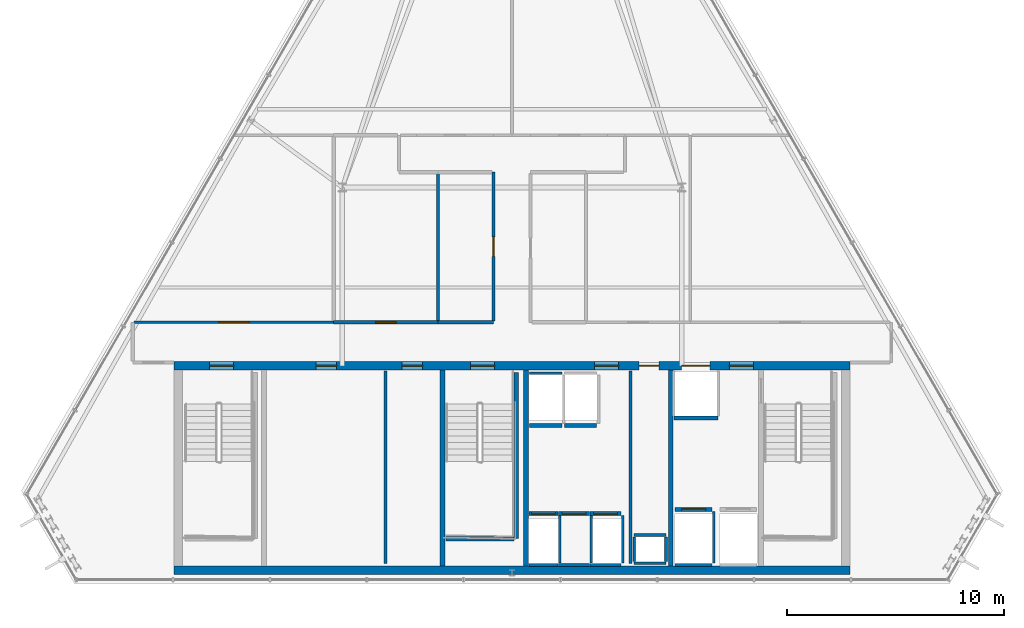
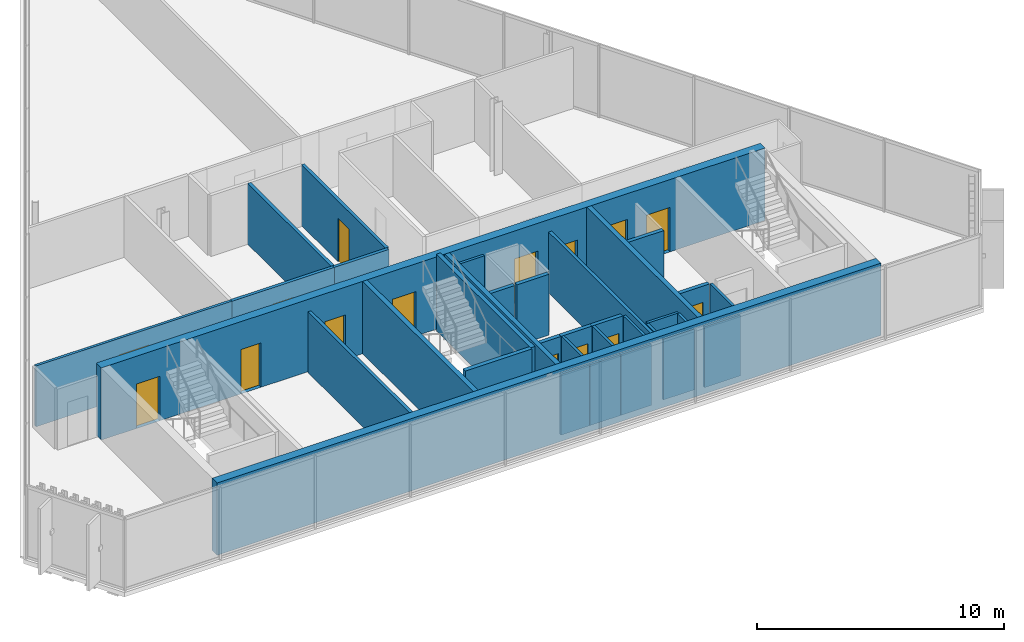
# One storey, part 27 of 32: 34 walls, 15 doors, 15 openings.
"""IFC4 building model written with IfcOpenShell, lengths in metres."""

from ifc_helpers import new_model, si_unit, direction, frame, frame_2d, origin, place, context, subcontext, project, spatial, rectangle, extrude, material, layer, layer_set, type_object, element, fill, save


model = new_model("IFC4")

# Units and contexts
model_context = context("Model", 3, precision=1e-05, world=origin(), true_north=direction((0.0, 1.0)))
body_context = subcontext(model_context, "Body", "Model", "MODEL_VIEW")
ifc_project = project(units=[si_unit("LENGTHUNIT", "METRE"), si_unit("AREAUNIT", "SQUARE_METRE"), si_unit("VOLUMEUNIT", "CUBIC_METRE"), si_unit("PLANEANGLEUNIT", "RADIAN"), si_unit("MASSUNIT", "GRAM", prefix="KILO")], contexts=[model_context])

# Site, building, storey
site_placement = place(None, origin())
site = spatial("IfcSite", under=ifc_project, at=site_placement, CompositionType="ELEMENT")
building_placement = place(site_placement, origin())
building = spatial("IfcBuilding", under=site, at=building_placement, Name="Ndaravel Arena Tower", CompositionType="ELEMENT")
storey_placement = place(building_placement, frame((0.0, 0.0, 283.300048828125)))
storey = spatial("IfcBuildingStorey", under=building, at=storey_placement, Name="L69", CompositionType="ELEMENT", Elevation=283.300048828125)

# Walls
ifc_material_1 = material(Name="Gypsum", Category="gypsum")
ifc_layer_1 = layer(ifc_material_1, 0.14990234375)
ifc_layer_set_1 = layer_set([ifc_layer_1], Name="Gypsum")
wall_type_1 = type_object("IfcWallType", Name="WALL-COMP-150", PredefinedType="PARTITIONING", material=ifc_layer_set_1)
for number, where, z_axis, x_axis, name in (
    (1, (47.449951171875, 5.89990234375, 0.0), (0.0, 0.0, 1.0), (0.0, 1.0, 0.0), "L69 Core Riser Bay Partition"),
    (2, (36.179931640625, 5.89990234375, 0.0), (0.0, 0.0, 1.0), (0.0, 1.0, 0.0), "L69 High-Zone Core Divider 1"),
):
    element("IfcWall", number, at=place(storey_placement, frame(where, z_axis=z_axis, x_axis=x_axis)), inside=storey, type_object=wall_type_1, Name=name, PredefinedType="PARTITIONING", context=body_context, shape_type="SweptSolid", body=[
        extrude(rectangle(XDim=8.85009765625, YDim=0.14990234375, at=frame_2d((4.425048828125, 0.0))), origin(), (0.0, 0.0, 1.0), 3.010498046875),
    ])
ifc_material_2 = material(Name="Concrete C50/60", Category="concrete")
ifc_layer_2 = layer(ifc_material_2, 0.219970703125)
ifc_layer_set_2 = layer_set([ifc_layer_2], Name="Concrete C50/60")
wall_type_2 = type_object("IfcWallType", Name="WALL-CORE-220", PredefinedType="SOLIDWALL", material=ifc_layer_set_2)
for number, where, z_axis, x_axis, name in (
    (3, (38.800048828125, 5.800048828125, 0.0), (0.0, 0.0, 1.0), (0.0, 1.0, 0.0), "L69 Core Web Shear Wall 2"),
    (4, (42.64990234375, 5.800048828125, 0.0), (0.0, 0.0, 1.0), (0.0, 1.0, 0.0), "L69 Core Web Shear Wall 3"),
    (5, (49.300048828125, 5.800048828125, 0.0), (0.0, 0.0, 1.0), (0.0, 1.0, 0.0), "L69 Core Web Shear Wall 4"),
):
    element("IfcWall", number, at=place(storey_placement, frame(where, z_axis=z_axis, x_axis=x_axis)), inside=storey, type_object=wall_type_2, Name=name, PredefinedType="SOLIDWALL", context=body_context, shape_type="SweptSolid", body=[
        extrude(rectangle(XDim=9.0, YDim=0.219970703125, at=frame_2d((4.5, 0.0))), origin(), (0.0, 0.0, 1.0), 3.579833984375),
    ])

# Wall, openings, doors
ifc_material_3 = material(Name="Concrete C50/60", Category="concrete")
ifc_layer_3 = layer(ifc_material_3, 0.39990234375)
ifc_layer_set_3 = layer_set([ifc_layer_3], Name="Concrete C50/60")
wall_type_3 = type_object("IfcWallType", Name="WALL-CORE-400", PredefinedType="SOLIDWALL", material=ifc_layer_set_3)
wall_1_placement = place(storey_placement, frame((26.449951171875, 15.0, 0.0), z_axis=(0.0, 0.0, 1.0), x_axis=(1.0, 0.0, 0.0)))
wall_1 = element("IfcWall", 6, at=wall_1_placement, inside=storey, type_object=wall_type_3, Name="L69 Core North Shear Wall", PredefinedType="SOLIDWALL", context=body_context, shape_type="SweptSolid", body=[
    extrude(rectangle(XDim=31.10009765625, YDim=0.39990234375, at=frame_2d((15.550048828125, 0.0))), origin(), (0.0, 0.0, 1.0), 3.579833984375),
])
opening_1_placement = place(wall_1_placement, frame((1.64990234375, 0.0, 0.0)))
opening_1 = element("IfcOpeningElement", 7, at=opening_1_placement, cuts=wall_1, Name="Opening FD-01", PredefinedType="OPENING", context=body_context, shape_type="SweptSolid", body=[
    extrude(rectangle(XDim=1.10009765625, YDim=2.199951171875, at=frame_2d((0.550048828125, 1.10009765625))), frame((0.0, 0.199951171875, 0.0), z_axis=(0.0, -1.0, 0.0), x_axis=(1.0, 0.0, 0.0)), (0.0, 0.0, 1.0), 0.39990234375),
])
opening_2_placement = place(wall_1_placement, frame((13.64990234375, 0.0, 0.0)))
opening_2 = element("IfcOpeningElement", 8, at=opening_2_placement, cuts=wall_1, Name="Opening FD-01", PredefinedType="OPENING", context=body_context, shape_type="SweptSolid", body=[
    extrude(rectangle(XDim=1.10009765625, YDim=2.199951171875, at=frame_2d((0.550048828125, 1.10009765625))), frame((0.0, 0.199951171875, 0.0), z_axis=(0.0, -1.0, 0.0), x_axis=(1.0, 0.0, 0.0)), (0.0, 0.0, 1.0), 0.39990234375),
])
opening_3_placement = place(wall_1_placement, frame((25.550048828125, 0.0, 0.0)))
opening_3 = element("IfcOpeningElement", 9, at=opening_3_placement, cuts=wall_1, Name="Opening FD-01", PredefinedType="OPENING", context=body_context, shape_type="SweptSolid", body=[
    extrude(rectangle(XDim=1.10009765625, YDim=2.199951171875, at=frame_2d((0.550048828125, 1.10009765625))), frame((0.0, 0.199951171875, 0.0), z_axis=(0.0, -1.0, 0.0), x_axis=(1.0, 0.0, 0.0)), (0.0, 0.0, 1.0), 0.39990234375),
])
opening_4_placement = place(wall_1_placement, frame((19.35009765625, 0.0, 0.0)))
opening_4 = element("IfcOpeningElement", 10, at=opening_4_placement, cuts=wall_1, Name="Opening FD-01", PredefinedType="OPENING", context=body_context, shape_type="SweptSolid", body=[
    extrude(rectangle(XDim=1.10009765625, YDim=2.199951171875, at=frame_2d((0.550048828125, 1.10009765625))), frame((0.0, 0.199951171875, 0.0), z_axis=(0.0, -1.0, 0.0), x_axis=(1.0, 0.0, 0.0)), (0.0, 0.0, 1.0), 0.39990234375),
])
opening_5_placement = place(wall_1_placement, frame((21.39990234375, 0.0, 0.0)))
opening_5 = element("IfcOpeningElement", 11, at=opening_5_placement, cuts=wall_1, Name="Opening RD-01", PredefinedType="OPENING", context=body_context, shape_type="SweptSolid", body=[
    extrude(rectangle(XDim=0.89990234375, YDim=2.10009765625, at=frame_2d((0.449951171875, 1.050048828125))), frame((0.0, 0.199951171875, 0.0), z_axis=(0.0, -1.0, 0.0), x_axis=(1.0, 0.0, 0.0)), (0.0, 0.0, 1.0), 0.39990234375),
])
opening_6_placement = place(wall_1_placement, frame((6.5400390625, 0.0, 0.0)))
opening_6 = element("IfcOpeningElement", 12, at=opening_6_placement, cuts=wall_1, Name="Opening FD-03", PredefinedType="OPENING", context=body_context, shape_type="SweptSolid", body=[
    extrude(rectangle(XDim=0.949951171875, YDim=2.199951171875, at=frame_2d((0.47509765625, 1.10009765625))), frame((0.0, 0.199951171875, 0.0), z_axis=(0.0, -1.0, 0.0), x_axis=(1.0, 0.0, 0.0)), (0.0, 0.0, 1.0), 0.39990234375),
])
opening_7_placement = place(wall_1_placement, frame((10.489990234375, 0.0, 0.0)))
opening_7 = element("IfcOpeningElement", 13, at=opening_7_placement, cuts=wall_1, Name="Opening FD-03", PredefinedType="OPENING", context=body_context, shape_type="SweptSolid", body=[
    extrude(rectangle(XDim=0.949951171875, YDim=2.199951171875, at=frame_2d((0.47509765625, 1.10009765625))), frame((0.0, 0.199951171875, 0.0), z_axis=(0.0, -1.0, 0.0), x_axis=(1.0, 0.0, 0.0)), (0.0, 0.0, 1.0), 0.39990234375),
])
opening_8_placement = place(wall_1_placement, frame((23.35009765625, 0.0, 0.0)))
opening_8 = element("IfcOpeningElement", 14, at=opening_8_placement, cuts=wall_1, Name="Opening LD-02", PredefinedType="OPENING", context=body_context, shape_type="SweptSolid", body=[
    extrude(rectangle(XDim=1.300048828125, YDim=2.300048828125, at=frame_2d((0.64990234375, 1.14990234375))), frame((0.0, 0.199951171875, 0.0), z_axis=(0.0, -1.0, 0.0), x_axis=(1.0, 0.0, 0.0)), (0.0, 0.0, 1.0), 0.39990234375),
])
ifc_material_4 = material(Name="Steel S355", Category="steel")
door_type_1 = type_object("IfcDoorType", Name="DT-01-STAIR-1100", OperationType="SINGLE_SWING_LEFT", PredefinedType="DOOR", material=ifc_material_4)
door_1_placement = place(opening_1_placement, origin())
door_1 = element("IfcDoor", 15, at=door_1_placement, inside=storey, type_object=door_type_1, Name="L69 Exit Stair ST-1 Door", OperationType="SINGLE_SWING_RIGHT", OverallHeight=2.199951171875, OverallWidth=1.10009765625, PredefinedType="DOOR", context=body_context, shape_type="SweptSolid", body=[
    extrude(rectangle(XDim=1.10009765625, YDim=2.199951171875, at=frame_2d((0.550048828125, 1.10009765625))), frame((0.0, 0.02490234375, 0.0), z_axis=(0.0, -1.0, 0.0), x_axis=(1.0, 0.0, 0.0)), (0.0, 0.0, 1.0), 0.050048828125),
])
fill(opening_1, door_1)
door_2_placement = place(opening_2_placement, origin())
door_2 = element("IfcDoor", 16, at=door_2_placement, inside=storey, type_object=door_type_1, Name="L69 Exit Stair ST-2 Door", OperationType="SINGLE_SWING_LEFT", OverallHeight=2.199951171875, OverallWidth=1.10009765625, PredefinedType="DOOR", context=body_context, shape_type="SweptSolid", body=[
    extrude(rectangle(XDim=1.10009765625, YDim=2.199951171875, at=frame_2d((0.550048828125, 1.10009765625))), frame((0.0, 0.02490234375, 0.0), z_axis=(0.0, -1.0, 0.0), x_axis=(1.0, 0.0, 0.0)), (0.0, 0.0, 1.0), 0.050048828125),
])
fill(opening_2, door_2)
door_3_placement = place(opening_3_placement, origin())
door_3 = element("IfcDoor", 17, at=door_3_placement, inside=storey, type_object=door_type_1, Name="L69 Firefighting Lift Lobby Door", OperationType="SINGLE_SWING_RIGHT", OverallHeight=2.199951171875, OverallWidth=1.10009765625, PredefinedType="DOOR", context=body_context, shape_type="SweptSolid", body=[
    extrude(rectangle(XDim=1.10009765625, YDim=2.199951171875, at=frame_2d((0.550048828125, 1.10009765625))), frame((0.0, 0.02490234375, 0.0), z_axis=(0.0, -1.0, 0.0), x_axis=(1.0, 0.0, 0.0)), (0.0, 0.0, 1.0), 0.050048828125),
])
fill(opening_3, door_3)
door_4_placement = place(opening_4_placement, origin())
door_4 = element("IfcDoor", 18, at=door_4_placement, inside=storey, type_object=door_type_1, Name="L69 Express Lift Lobby Entry Door", OperationType="SINGLE_SWING_LEFT", OverallHeight=2.199951171875, OverallWidth=1.10009765625, PredefinedType="DOOR", context=body_context, shape_type="SweptSolid", body=[
    extrude(rectangle(XDim=1.10009765625, YDim=2.199951171875, at=frame_2d((0.550048828125, 1.10009765625))), frame((0.0, 0.02490234375, 0.0), z_axis=(0.0, -1.0, 0.0), x_axis=(1.0, 0.0, 0.0)), (0.0, 0.0, 1.0), 0.050048828125),
])
fill(opening_4, door_4)
ifc_material_5 = material(Name="Steel S355", Category="steel")
door_type_2 = type_object("IfcDoorType", Name="DT-07-SVLIFT-1300", OperationType="DOUBLE_DOOR_SLIDING", PredefinedType="DOOR", material=ifc_material_5)
door_5_placement = place(opening_8_placement, origin())
door_5 = element("IfcDoor", 19, at=door_5_placement, inside=storey, type_object=door_type_2, Name="L69 Lift SVL-1 Sliding Landing Door", OperationType="DOUBLE_DOOR_SLIDING", OverallHeight=2.300048828125, OverallWidth=1.300048828125, PredefinedType="DOOR", context=body_context, shape_type="SweptSolid", body=[
    extrude(rectangle(XDim=1.300048828125, YDim=2.300048828125, at=frame_2d((0.64990234375, 1.14990234375))), frame((0.0, 0.02490234375, 0.0), z_axis=(0.0, -1.0, 0.0), x_axis=(1.0, 0.0, 0.0)), (0.0, 0.0, 1.0), 0.050048828125),
])
fill(opening_8, door_5)
ifc_material_6 = material(Name="Steel S355", Category="steel")
door_type_3 = type_object("IfcDoorType", Name="DT-08-RISER-900", OperationType="SINGLE_SWING_LEFT", PredefinedType="DOOR", material=ifc_material_6)
door_6_placement = place(opening_5_placement, origin())
door_6 = element("IfcDoor", 20, at=door_6_placement, inside=storey, type_object=door_type_3, Name="L69 Core Service Riser North Door", OperationType="SINGLE_SWING_LEFT", OverallHeight=2.10009765625, OverallWidth=0.89990234375, PredefinedType="DOOR", context=body_context, shape_type="SweptSolid", body=[
    extrude(rectangle(XDim=0.89990234375, YDim=2.10009765625, at=frame_2d((0.449951171875, 1.050048828125))), frame((0.0, 0.02490234375, 0.0), z_axis=(0.0, -1.0, 0.0), x_axis=(1.0, 0.0, 0.0)), (0.0, 0.0, 1.0), 0.050048828125),
])
fill(opening_5, door_6)
ifc_material_7 = material(Name="Steel S355", Category="steel")
door_type_4 = type_object("IfcDoorType", Name="DT-11-CORE-950", OperationType="SINGLE_SWING_LEFT", PredefinedType="DOOR", material=ifc_material_7)
door_7_placement = place(opening_6_placement, origin())
door_7 = element("IfcDoor", 21, at=door_7_placement, inside=storey, type_object=door_type_4, Name="L69 High-Zone Reclaimed Core Room 1 Door", OperationType="SINGLE_SWING_LEFT", OverallHeight=2.199951171875, OverallWidth=0.949951171875, PredefinedType="DOOR", context=body_context, shape_type="SweptSolid", body=[
    extrude(rectangle(XDim=0.949951171875, YDim=2.199951171875, at=frame_2d((0.47509765625, 1.10009765625))), frame((0.0, 0.02490234375, 0.0), z_axis=(0.0, -1.0, 0.0), x_axis=(1.0, 0.0, 0.0)), (0.0, 0.0, 1.0), 0.050048828125),
])
fill(opening_6, door_7)
door_8_placement = place(opening_7_placement, origin())
door_8 = element("IfcDoor", 22, at=door_8_placement, inside=storey, type_object=door_type_4, Name="L69 High-Zone Reclaimed Core Room 2 Door", OperationType="SINGLE_SWING_RIGHT", OverallHeight=2.199951171875, OverallWidth=0.949951171875, PredefinedType="DOOR", context=body_context, shape_type="SweptSolid", body=[
    extrude(rectangle(XDim=0.949951171875, YDim=2.199951171875, at=frame_2d((0.47509765625, 1.10009765625))), frame((0.0, 0.02490234375, 0.0), z_axis=(0.0, -1.0, 0.0), x_axis=(1.0, 0.0, 0.0)), (0.0, 0.0, 1.0), 0.050048828125),
])
fill(opening_7, door_8)

# Wall
wall_2_placement = place(storey_placement, frame((26.449951171875, 5.60009765625, 0.0), z_axis=(0.0, 0.0, 1.0), x_axis=(1.0, 0.0, 0.0)))
element("IfcWall", 23, at=wall_2_placement, inside=storey, type_object=wall_type_3, Name="L69 Core South Shear Wall", PredefinedType="SOLIDWALL", context=body_context, shape_type="SweptSolid", body=[
    extrude(rectangle(XDim=31.10009765625, YDim=0.39990234375, at=frame_2d((15.550048828125, 0.0))), origin(), (0.0, 0.0, 1.0), 3.579833984375),
])

# Wall, opening, door
ifc_material_8 = material(Name="Gypsum", Category="gypsum")
ifc_layer_4 = layer(ifc_material_8, 0.125)
ifc_layer_set_4 = layer_set([ifc_layer_4], Name="Gypsum")
wall_type_4 = type_object("IfcWallType", Name="WALL-PART-125", PredefinedType="PARTITIONING", material=ifc_layer_set_4)
wall_3_placement = place(storey_placement, frame((24.631103515625, 17.0, 0.0), z_axis=(0.0, 0.0, 1.0), x_axis=(1.0, 0.0, 0.0)))
wall_3 = element("IfcWall", 24, at=wall_3_placement, inside=storey, type_object=wall_type_4, Name="L69 Interior Partition 005", PredefinedType="PARTITIONING", context=body_context, shape_type="SweptSolid", body=[
    extrude(rectangle(XDim=9.1689453125, YDim=0.125, at=frame_2d((4.58447265625, 0.0))), origin(), (0.0, 0.0, 1.0), 3.010498046875),
])
opening_9_placement = place(wall_3_placement, frame((3.884521484375, 0.0, 0.0)))
opening_9 = element("IfcOpeningElement", 25, at=opening_9_placement, cuts=wall_3, Name="Opening ID-02", PredefinedType="OPENING", context=body_context, shape_type="SweptSolid", body=[
    extrude(rectangle(XDim=1.39990234375, YDim=2.199951171875, at=frame_2d((0.699951171875, 1.10009765625))), frame((0.0, 0.0625, 0.0), z_axis=(0.0, -1.0, 0.0), x_axis=(1.0, 0.0, 0.0)), (0.0, 0.0, 1.0), 0.125),
])
ifc_material_9 = material(Name="Timber", Category="wood")
door_type_5 = type_object("IfcDoorType", Name="DT-04-SUITE-1400", OperationType="DOUBLE_DOOR_SINGLE_SWING", PredefinedType="DOOR", material=ifc_material_9)
door_9_placement = place(opening_9_placement, origin())
door_9 = element("IfcDoor", 26, at=door_9_placement, inside=storey, type_object=door_type_5, Name="L69 Visitor Reception Desk Door", OperationType="SINGLE_SWING_RIGHT", OverallHeight=2.199951171875, OverallWidth=1.39990234375, PredefinedType="DOOR", context=body_context, shape_type="SweptSolid", body=[
    extrude(rectangle(XDim=1.39990234375, YDim=2.199951171875, at=frame_2d((0.699951171875, 1.10009765625))), frame((0.0, 0.02490234375, 0.0), z_axis=(0.0, -1.0, 0.0), x_axis=(1.0, 0.0, 0.0)), (0.0, 0.0, 1.0), 0.050048828125),
])
fill(opening_9, door_9)

# Walls
ifc_material_10 = material(Name="Concrete C40/50", Category="concrete")
ifc_layer_5 = layer(ifc_material_10, 0.1201171875)
ifc_layer_set_5 = layer_set([ifc_layer_5], Name="Concrete C40/50")
wall_type_5 = type_object("IfcWallType", Name="WALL-SHAFT-120", PredefinedType="SOLIDWALL", material=ifc_layer_set_5)
for number, where, z_axis, x_axis, name in (
    (27, (47.6201171875, 5.919921875, 0.0), (0.0, 0.0, 1.0), (1.0, 0.0, 0.0), "L69 MEP Riser Shaft S Wall"),
    (28, (47.6201171875, 7.219970703125, 0.0), (0.0, 0.0, 1.0), (1.0, 0.0, 0.0), "L69 MEP Riser Shaft N Wall"),
):
    element("IfcWall", number, at=place(storey_placement, frame(where, z_axis=z_axis, x_axis=x_axis)), inside=storey, type_object=wall_type_5, Name=name, PredefinedType="SOLIDWALL", context=body_context, shape_type="SweptSolid", body=[
        extrude(rectangle(XDim=1.4599609375, YDim=0.1201171875, at=frame_2d((0.72998046875, 0.0))), origin(), (0.0, 0.0, 1.0), 3.010498046875),
    ])
for number, where, z_axis, x_axis, name in (
    (29, (47.6201171875, 6.0, 0.0), (0.0, 0.0, 1.0), (0.0, 1.0, 0.0), "L69 MEP Riser Shaft W Wall"),
    (30, (49.080078125, 6.0, 0.0), (0.0, 0.0, 1.0), (0.0, 1.0, 0.0), "L69 MEP Riser Shaft E Wall"),
):
    element("IfcWall", number, at=place(storey_placement, frame(where, z_axis=z_axis, x_axis=x_axis)), inside=storey, type_object=wall_type_5, Name=name, PredefinedType="SOLIDWALL", context=body_context, shape_type="SweptSolid", body=[
        extrude(rectangle(XDim=1.139892578125, YDim=0.1201171875, at=frame_2d((0.56982421875, 0.0))), origin(), (0.0, 0.0, 1.0), 3.010498046875),
    ])
wall_4_placement = place(storey_placement, frame((42.780029296875, 5.840087890625, 0.0), z_axis=(0.0, 0.0, 1.0), x_axis=(1.0, 0.0, 0.0)))
element("IfcWall", 31, at=wall_4_placement, inside=storey, type_object=wall_type_5, Name="L69 PL-H1 Shaft Rear Wall", PredefinedType="SOLIDWALL", context=body_context, shape_type="SweptSolid", body=[
    extrude(rectangle(XDim=1.340087890625, YDim=0.1201171875, at=frame_2d((0.669921875, 0.0))), origin(), (0.0, 0.0, 1.0), 3.010498046875),
])
wall_5_placement = place(storey_placement, frame((44.199951171875, 5.929931640625, 0.0), z_axis=(0.0, 0.0, 1.0), x_axis=(0.0, 1.0, 0.0)))
element("IfcWall", 32, at=wall_5_placement, inside=storey, type_object=wall_type_5, Name="L69 PL-H1 Shaft Side R Wall", PredefinedType="SOLIDWALL", context=body_context, shape_type="SweptSolid", body=[
    extrude(rectangle(XDim=2.18017578125, YDim=0.1201171875, at=frame_2d((1.090087890625, 0.0))), origin(), (0.0, 0.0, 1.0), 3.010498046875),
])
wall_6_placement = place(storey_placement, frame((44.1298828125, 5.840087890625, 0.0), z_axis=(0.0, 0.0, 1.0), x_axis=(1.0, 0.0, 0.0)))
element("IfcWall", 33, at=wall_6_placement, inside=storey, type_object=wall_type_5, Name="L69 PL-H2 Shaft Rear Wall", PredefinedType="SOLIDWALL", context=body_context, shape_type="SweptSolid", body=[
    extrude(rectangle(XDim=1.440185546875, YDim=0.1201171875, at=frame_2d((0.72021484375, 0.0))), origin(), (0.0, 0.0, 1.0), 3.010498046875),
])
wall_7_placement = place(storey_placement, frame((45.64990234375, 5.929931640625, 0.0), z_axis=(0.0, 0.0, 1.0), x_axis=(0.0, 1.0, 0.0)))
element("IfcWall", 34, at=wall_7_placement, inside=storey, type_object=wall_type_5, Name="L69 PL-H2 Shaft Side R Wall", PredefinedType="SOLIDWALL", context=body_context, shape_type="SweptSolid", body=[
    extrude(rectangle(XDim=2.18017578125, YDim=0.1201171875, at=frame_2d((1.090087890625, 0.0))), origin(), (0.0, 0.0, 1.0), 3.010498046875),
])
wall_8_placement = place(storey_placement, frame((45.580078125, 5.840087890625, 0.0), z_axis=(0.0, 0.0, 1.0), x_axis=(1.0, 0.0, 0.0)))
element("IfcWall", 35, at=wall_8_placement, inside=storey, type_object=wall_type_5, Name="L69 PL-H3 Shaft Rear Wall", PredefinedType="SOLIDWALL", context=body_context, shape_type="SweptSolid", body=[
    extrude(rectangle(XDim=1.43994140625, YDim=0.1201171875, at=frame_2d((0.719970703125, 0.0))), origin(), (0.0, 0.0, 1.0), 3.010498046875),
])
wall_9_placement = place(storey_placement, frame((47.10009765625, 5.929931640625, 0.0), z_axis=(0.0, 0.0, 1.0), x_axis=(0.0, 1.0, 0.0)))
element("IfcWall", 36, at=wall_9_placement, inside=storey, type_object=wall_type_5, Name="L69 PL-H3 Shaft Side R Wall", PredefinedType="SOLIDWALL", context=body_context, shape_type="SweptSolid", body=[
    extrude(rectangle(XDim=2.18017578125, YDim=0.1201171875, at=frame_2d((1.090087890625, 0.0))), origin(), (0.0, 0.0, 1.0), 3.010498046875),
])
wall_10_placement = place(storey_placement, frame((42.804931640625, 14.659912109375, 0.0), z_axis=(0.0, 0.0, 1.0), x_axis=(1.0, 0.0, 0.0)))
element("IfcWall", 37, at=wall_10_placement, inside=storey, type_object=wall_type_5, Name="L69 PL-OBS1 Shaft Rear Wall", PredefinedType="SOLIDWALL", context=body_context, shape_type="SweptSolid", body=[
    extrude(rectangle(XDim=1.489990234375, YDim=0.1201171875, at=frame_2d((0.7451171875, 0.0))), origin(), (0.0, 0.0, 1.0), 3.010498046875),
])
wall_11_placement = place(storey_placement, frame((49.5048828125, 5.840087890625, 0.0), z_axis=(0.0, 0.0, 1.0), x_axis=(1.0, 0.0, 0.0)))
element("IfcWall", 38, at=wall_11_placement, inside=storey, type_object=wall_type_5, Name="L69 FFL-1 Shaft Rear Wall", PredefinedType="SOLIDWALL", context=body_context, shape_type="SweptSolid", body=[
    extrude(rectangle(XDim=1.690185546875, YDim=0.1201171875, at=frame_2d((0.84521484375, 0.0))), origin(), (0.0, 0.0, 1.0), 3.010498046875),
])
wall_12_placement = place(storey_placement, frame((51.27490234375, 5.929931640625, 0.0), z_axis=(0.0, 0.0, 1.0), x_axis=(0.0, 1.0, 0.0)))
element("IfcWall", 39, at=wall_12_placement, inside=storey, type_object=wall_type_5, Name="L69 FFL-1 Shaft Side R Wall", PredefinedType="SOLIDWALL", context=body_context, shape_type="SweptSolid", body=[
    extrude(rectangle(XDim=2.380126953125, YDim=0.1201171875, at=frame_2d((1.18994140625, 0.0))), origin(), (0.0, 0.0, 1.0), 3.010498046875),
])
ifc_material_11 = material(Name="Concrete C40/50", Category="concrete")
ifc_layer_6 = layer(ifc_material_11, 0.199951171875)
ifc_layer_set_6 = layer_set([ifc_layer_6], Name="Concrete C40/50")
wall_type_6 = type_object("IfcWallType", Name="WALL-SHAFT-200", PredefinedType="SOLIDWALL", material=ifc_layer_set_6)
wall_13_placement = place(storey_placement, frame((42.18994140625, 14.699951171875, 0.0), z_axis=(0.0, 0.0, 1.0), x_axis=(0.0, -1.0, 0.0)))
element("IfcWall", 40, at=wall_13_placement, inside=storey, type_object=wall_type_6, Name="L69 ST-2 Structural Shaft Wall Right", PredefinedType="SOLIDWALL", context=body_context, shape_type="SweptSolid", body=[
    extrude(rectangle(XDim=7.64990234375, YDim=0.199951171875, at=frame_2d((3.824951171875, 0.0))), origin(), (0.0, 0.0, 1.0), 3.800048828125),
])
wall_14_placement = place(storey_placement, frame((38.969970703125, 7.050048828125, 0.0), z_axis=(0.0, 0.0, 1.0), x_axis=(1.0, 0.0, 0.0)))
element("IfcWall", 41, at=wall_14_placement, inside=storey, type_object=wall_type_6, Name="L69 ST-2 Structural Shaft Wall Far", PredefinedType="SOLIDWALL", context=body_context, shape_type="SweptSolid", body=[
    extrude(rectangle(XDim=3.114990234375, YDim=0.199951171875, at=frame_2d((1.5576171875, 0.0))), origin(), (0.0, 0.0, 1.0), 3.800048828125),
])

# Wall, opening, door
wall_15_placement = place(storey_placement, frame((42.780029296875, 8.199951171875, 0.0), z_axis=(0.0, 0.0, 1.0), x_axis=(1.0, 0.0, 0.0)))
wall_15 = element("IfcWall", 42, at=wall_15_placement, inside=storey, type_object=wall_type_6, Name="L69 PL-H1 Shaft Landing Wall", PredefinedType="SOLIDWALL", context=body_context, shape_type="SweptSolid", body=[
    extrude(rectangle(XDim=1.340087890625, YDim=0.179931640625, at=frame_2d((0.669921875, 0.0))), origin(), (0.0, 0.0, 1.0), 3.010498046875),
])
opening_10_placement = place(wall_15_placement, frame((0.1201171875, 0.0, 0.0)))
opening_10 = element("IfcOpeningElement", 43, at=opening_10_placement, cuts=wall_15, Name="Opening LD-01", PredefinedType="OPENING", context=body_context, shape_type="SweptSolid", body=[
    extrude(rectangle(XDim=1.10009765625, YDim=2.199951171875, at=frame_2d((0.550048828125, 1.10009765625))), frame((0.0, 0.08984375, 0.0), z_axis=(0.0, -1.0, 0.0), x_axis=(1.0, 0.0, 0.0)), (0.0, 0.0, 1.0), 0.179931640625),
])
ifc_material_12 = material(Name="Steel S355", Category="steel")
door_type_6 = type_object("IfcDoorType", Name="DT-06-LIFT-1100", OperationType="SLIDING_TO_LEFT", PredefinedType="DOOR", material=ifc_material_12)
door_10_placement = place(opening_10_placement, origin())
door_10 = element("IfcDoor", 44, at=door_10_placement, inside=storey, type_object=door_type_6, Name="L69 Lift PL-H1 Sliding Landing Door", OperationType="SLIDING_TO_LEFT", OverallHeight=2.199951171875, OverallWidth=1.10009765625, PredefinedType="DOOR", context=body_context, shape_type="SweptSolid", body=[
    extrude(rectangle(XDim=1.10009765625, YDim=2.199951171875, at=frame_2d((0.550048828125, 1.10009765625))), frame((0.0, 0.02490234375, 0.0), z_axis=(0.0, -1.0, 0.0), x_axis=(1.0, 0.0, 0.0)), (0.0, 0.0, 1.0), 0.050048828125),
])
fill(opening_10, door_10)

wall_16_placement = place(storey_placement, frame((44.1298828125, 8.199951171875, 0.0), z_axis=(0.0, 0.0, 1.0), x_axis=(1.0, 0.0, 0.0)))
wall_16 = element("IfcWall", 45, at=wall_16_placement, inside=storey, type_object=wall_type_6, Name="L69 PL-H2 Shaft Landing Wall", PredefinedType="SOLIDWALL", context=body_context, shape_type="SweptSolid", body=[
    extrude(rectangle(XDim=1.440185546875, YDim=0.179931640625, at=frame_2d((0.72021484375, 0.0))), origin(), (0.0, 0.0, 1.0), 3.010498046875),
])
opening_11_placement = place(wall_16_placement, frame((0.169921875, 0.0, 0.0)))
opening_11 = element("IfcOpeningElement", 46, at=opening_11_placement, cuts=wall_16, Name="Opening LD-01", PredefinedType="OPENING", context=body_context, shape_type="SweptSolid", body=[
    extrude(rectangle(XDim=1.10009765625, YDim=2.199951171875, at=frame_2d((0.550048828125, 1.10009765625))), frame((0.0, 0.08984375, 0.0), z_axis=(0.0, -1.0, 0.0), x_axis=(1.0, 0.0, 0.0)), (0.0, 0.0, 1.0), 0.179931640625),
])
door_11_placement = place(opening_11_placement, origin())
door_11 = element("IfcDoor", 47, at=door_11_placement, inside=storey, type_object=door_type_6, Name="L69 Lift PL-H2 Sliding Landing Door", OperationType="SLIDING_TO_LEFT", OverallHeight=2.199951171875, OverallWidth=1.10009765625, PredefinedType="DOOR", context=body_context, shape_type="SweptSolid", body=[
    extrude(rectangle(XDim=1.10009765625, YDim=2.199951171875, at=frame_2d((0.550048828125, 1.10009765625))), frame((0.0, 0.02490234375, 0.0), z_axis=(0.0, -1.0, 0.0), x_axis=(1.0, 0.0, 0.0)), (0.0, 0.0, 1.0), 0.050048828125),
])
fill(opening_11, door_11)

wall_17_placement = place(storey_placement, frame((45.580078125, 8.199951171875, 0.0), z_axis=(0.0, 0.0, 1.0), x_axis=(1.0, 0.0, 0.0)))
wall_17 = element("IfcWall", 48, at=wall_17_placement, inside=storey, type_object=wall_type_6, Name="L69 PL-H3 Shaft Landing Wall", PredefinedType="SOLIDWALL", context=body_context, shape_type="SweptSolid", body=[
    extrude(rectangle(XDim=1.43994140625, YDim=0.179931640625, at=frame_2d((0.719970703125, 0.0))), origin(), (0.0, 0.0, 1.0), 3.010498046875),
])
opening_12_placement = place(wall_17_placement, frame((0.169921875, 0.0, 0.0)))
opening_12 = element("IfcOpeningElement", 49, at=opening_12_placement, cuts=wall_17, Name="Opening LD-01", PredefinedType="OPENING", context=body_context, shape_type="SweptSolid", body=[
    extrude(rectangle(XDim=1.10009765625, YDim=2.199951171875, at=frame_2d((0.550048828125, 1.10009765625))), frame((0.0, 0.08984375, 0.0), z_axis=(0.0, -1.0, 0.0), x_axis=(1.0, 0.0, 0.0)), (0.0, 0.0, 1.0), 0.179931640625),
])
door_12_placement = place(opening_12_placement, origin())
door_12 = element("IfcDoor", 50, at=door_12_placement, inside=storey, type_object=door_type_6, Name="L69 Lift PL-H3 Sliding Landing Door", OperationType="SLIDING_TO_LEFT", OverallHeight=2.199951171875, OverallWidth=1.10009765625, PredefinedType="DOOR", context=body_context, shape_type="SweptSolid", body=[
    extrude(rectangle(XDim=1.10009765625, YDim=2.199951171875, at=frame_2d((0.550048828125, 1.10009765625))), frame((0.0, 0.02490234375, 0.0), z_axis=(0.0, -1.0, 0.0), x_axis=(1.0, 0.0, 0.0)), (0.0, 0.0, 1.0), 0.050048828125),
])
fill(opening_12, door_12)

# Walls
for number, where, z_axis, x_axis, name in (
    (51, (42.804931640625, 12.25, 0.0), (0.0, 0.0, 1.0), (1.0, 0.0, 0.0), "L69 PL-OBS1 Shaft Landing Wall"),
    (52, (44.405029296875, 12.25, 0.0), (0.0, 0.0, 1.0), (1.0, 0.0, 0.0), "L69 PL-OBS2 Shaft Landing Wall"),
):
    element("IfcWall", number, at=place(storey_placement, frame(where, z_axis=z_axis, x_axis=x_axis)), inside=storey, type_object=wall_type_6, Name=name, PredefinedType="SOLIDWALL", context=body_context, shape_type="SweptSolid", body=[
        extrude(rectangle(XDim=1.489990234375, YDim=0.179931640625, at=frame_2d((0.7451171875, 0.0))), origin(), (0.0, 0.0, 1.0), 3.010498046875),
    ])

# Wall, opening, door
wall_18_placement = place(storey_placement, frame((49.5048828125, 8.39990234375, 0.0), z_axis=(0.0, 0.0, 1.0), x_axis=(1.0, 0.0, 0.0)))
wall_18 = element("IfcWall", 53, at=wall_18_placement, inside=storey, type_object=wall_type_6, Name="L69 FFL-1 Shaft Landing Wall", PredefinedType="SOLIDWALL", context=body_context, shape_type="SweptSolid", body=[
    extrude(rectangle(XDim=1.690185546875, YDim=0.179931640625, at=frame_2d((0.84521484375, 0.0))), origin(), (0.0, 0.0, 1.0), 3.010498046875),
])
opening_13_placement = place(wall_18_placement, frame((0.294921875, 0.0, 0.0)))
opening_13 = element("IfcOpeningElement", 54, at=opening_13_placement, cuts=wall_18, Name="Opening LD-01", PredefinedType="OPENING", context=body_context, shape_type="SweptSolid", body=[
    extrude(rectangle(XDim=1.10009765625, YDim=2.199951171875, at=frame_2d((0.550048828125, 1.10009765625))), frame((0.0, 0.08984375, 0.0), z_axis=(0.0, -1.0, 0.0), x_axis=(1.0, 0.0, 0.0)), (0.0, 0.0, 1.0), 0.179931640625),
])
door_13_placement = place(opening_13_placement, origin())
door_13 = element("IfcDoor", 55, at=door_13_placement, inside=storey, type_object=door_type_6, Name="L69 Lift FFL-1 Sliding Landing Door", OperationType="SLIDING_TO_LEFT", OverallHeight=2.199951171875, OverallWidth=1.10009765625, PredefinedType="DOOR", context=body_context, shape_type="SweptSolid", body=[
    extrude(rectangle(XDim=1.10009765625, YDim=2.199951171875, at=frame_2d((0.550048828125, 1.10009765625))), frame((0.0, 0.02490234375, 0.0), z_axis=(0.0, -1.0, 0.0), x_axis=(1.0, 0.0, 0.0)), (0.0, 0.0, 1.0), 0.050048828125),
])
fill(opening_13, door_13)

# Wall
wall_19_placement = place(storey_placement, frame((49.43994140625, 12.594970703125, 0.0), z_axis=(0.0, 0.0, 1.0), x_axis=(1.0, 0.0, 0.0)))
element("IfcWall", 56, at=wall_19_placement, inside=storey, type_object=wall_type_6, Name="L69 SVL-1 Shaft South Wall", PredefinedType="SOLIDWALL", context=body_context, shape_type="SweptSolid", body=[
    extrude(rectangle(XDim=2.0400390625, YDim=0.179931640625, at=frame_2d((1.02001953125, 0.0))), origin(), (0.0, 0.0, 1.0), 3.010498046875),
])

# Wall, opening, door
ifc_material_13 = material(Name="Masonry", Category="masonry")
ifc_layer_7 = layer(ifc_material_13, 0.14990234375)
ifc_layer_set_7 = layer_set([ifc_layer_7], Name="Masonry")
wall_type_7 = type_object("IfcWallType", Name="WALL-WET-150", PredefinedType="PARTITIONING", material=ifc_layer_set_7)
wall_20_placement = place(storey_placement, frame((33.800048828125, 17.0, 0.0), z_axis=(0.0, 0.0, 1.0), x_axis=(1.0, 0.0, 0.0)))
wall_20 = element("IfcWall", 57, at=wall_20_placement, inside=storey, type_object=wall_type_7, Name="L69 Interior Partition 006", PredefinedType="PARTITIONING", context=body_context, shape_type="SweptSolid", body=[
    extrude(rectangle(XDim=4.800048828125, YDim=0.14990234375, at=frame_2d((2.39990234375, 0.0))), origin(), (0.0, 0.0, 1.0), 3.010498046875),
])
opening_14_placement = place(wall_20_placement, frame((1.925048828125, 0.0, 0.0)))
opening_14 = element("IfcOpeningElement", 58, at=opening_14_placement, cuts=wall_20, Name="Opening FD-03", PredefinedType="OPENING", context=body_context, shape_type="SweptSolid", body=[
    extrude(rectangle(XDim=0.949951171875, YDim=2.199951171875, at=frame_2d((0.47509765625, 1.10009765625))), frame((0.0, 0.074951171875, 0.0), z_axis=(0.0, -1.0, 0.0), x_axis=(1.0, 0.0, 0.0)), (0.0, 0.0, 1.0), 0.14990234375),
])
door_14_placement = place(opening_14_placement, origin())
door_14 = element("IfcDoor", 59, at=door_14_placement, inside=storey, type_object=door_type_4, Name="L69 Catering Pantry 2 Door", OperationType="SINGLE_SWING_RIGHT", OverallHeight=2.199951171875, OverallWidth=0.949951171875, PredefinedType="DOOR", context=body_context, shape_type="SweptSolid", body=[
    extrude(rectangle(XDim=0.949951171875, YDim=2.199951171875, at=frame_2d((0.47509765625, 1.10009765625))), frame((0.0, 0.02490234375, 0.0), z_axis=(0.0, -1.0, 0.0), x_axis=(1.0, 0.0, 0.0)), (0.0, 0.0, 1.0), 0.050048828125),
])
fill(opening_14, door_14)

# Wall
wall_21_placement = place(storey_placement, frame((38.60009765625, 17.0, 0.0), z_axis=(0.0, 0.0, 1.0), x_axis=(1.0, 0.0, 0.0)))
element("IfcWall", 60, at=wall_21_placement, inside=storey, type_object=wall_type_7, Name="L69 Interior Partition 007", PredefinedType="PARTITIONING", context=body_context, shape_type="SweptSolid", body=[
    extrude(rectangle(XDim=2.5498046875, YDim=0.14990234375, at=frame_2d((1.27490234375, 0.0))), origin(), (0.0, 0.0, 1.0), 3.010498046875),
])

# Wall, opening, door
wall_22_placement = place(storey_placement, frame((41.14990234375, 17.06494140625, 0.0), z_axis=(0.0, 0.0, 1.0), x_axis=(0.0, 1.0, 0.0)))
wall_22 = element("IfcWall", 61, at=wall_22_placement, inside=storey, type_object=wall_type_7, Name="L69 Interior Partition 008", PredefinedType="PARTITIONING", context=body_context, shape_type="SweptSolid", body=[
    extrude(rectangle(XDim=6.8349609375, YDim=0.14990234375, at=frame_2d((3.41748046875, 0.0))), origin(), (0.0, 0.0, 1.0), 3.010498046875),
])
opening_15_placement = place(wall_22_placement, frame((2.967529296875, 0.0, 0.0)))
opening_15 = element("IfcOpeningElement", 62, at=opening_15_placement, cuts=wall_22, Name="Opening WD-01", PredefinedType="OPENING", context=body_context, shape_type="SweptSolid", body=[
    extrude(rectangle(XDim=0.89990234375, YDim=2.14990234375, at=frame_2d((0.449951171875, 1.074951171875))), frame((0.0, 0.074951171875, 0.0), z_axis=(0.0, -1.0, 0.0), x_axis=(1.0, 0.0, 0.0)), (0.0, 0.0, 1.0), 0.14990234375),
])
ifc_material_14 = material(Name="Timber", Category="wood")
door_type_7 = type_object("IfcDoorType", Name="DT-05-WC-900", OperationType="SINGLE_SWING_LEFT", PredefinedType="DOOR", material=ifc_material_14)
door_15_placement = place(opening_15_placement, origin())
door_15 = element("IfcDoor", 63, at=door_15_placement, inside=storey, type_object=door_type_7, Name="L69 Male Staff & Visitor Restroom Door", OperationType="SINGLE_SWING_RIGHT", OverallHeight=2.14990234375, OverallWidth=0.89990234375, PredefinedType="DOOR", context=body_context, shape_type="SweptSolid", body=[
    extrude(rectangle(XDim=0.89990234375, YDim=2.14990234375, at=frame_2d((0.449951171875, 1.074951171875))), frame((0.0, 0.02490234375, 0.0), z_axis=(0.0, -1.0, 0.0), x_axis=(1.0, 0.0, 0.0)), (0.0, 0.0, 1.0), 0.050048828125),
])
fill(opening_15, door_15)

# Wall
wall_23_placement = place(storey_placement, frame((38.60009765625, 17.06494140625, 0.0), z_axis=(0.0, 0.0, 1.0), x_axis=(0.0, 1.0, 0.0)))
element("IfcWall", 64, at=wall_23_placement, inside=storey, type_object=wall_type_7, Name="L69 Interior Partition 025", PredefinedType="PARTITIONING", context=body_context, shape_type="SweptSolid", body=[
    extrude(rectangle(XDim=6.77001953125, YDim=0.14990234375, at=frame_2d((3.385009765625, 0.0))), origin(), (0.0, 0.0, 1.0), 3.010498046875),
])

save(model, "model.ifc")
